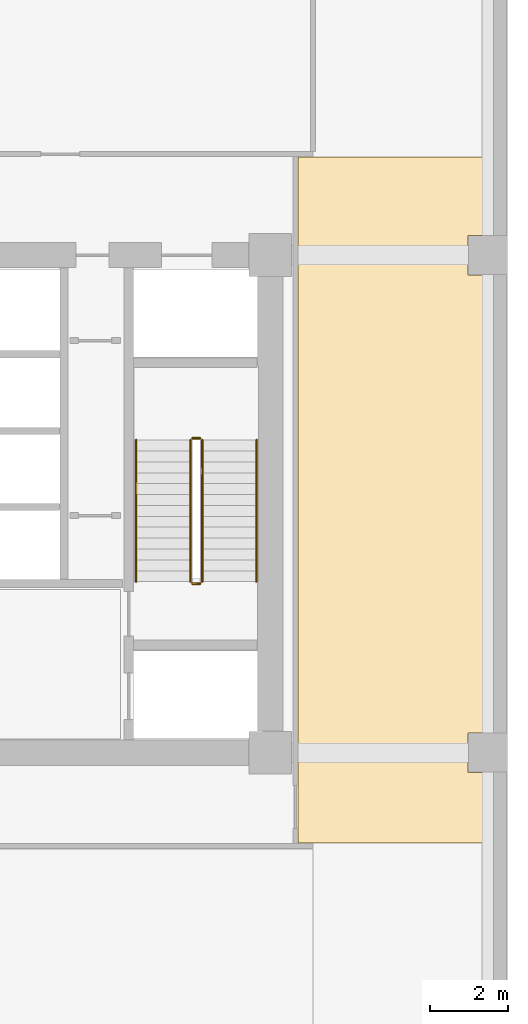
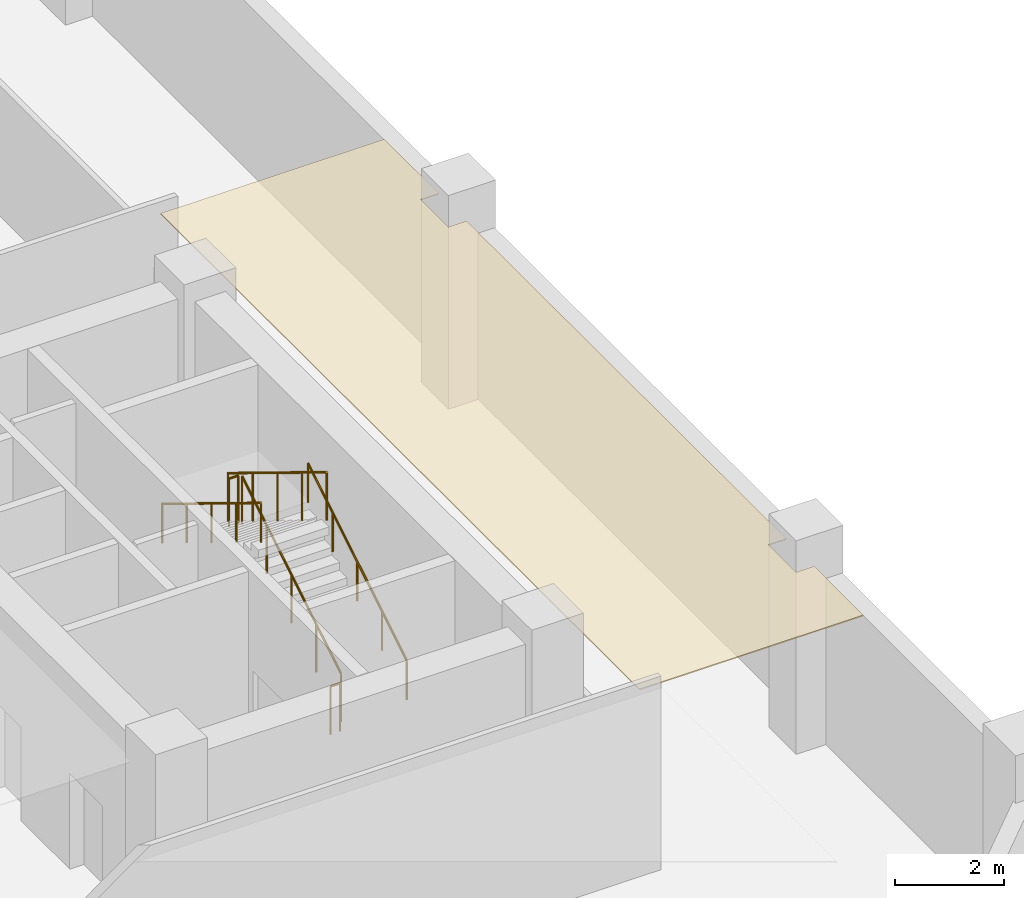
# One storey, part 14 of 16: 6 railings, 1 covering.
"""IFC4 building model written with IfcOpenShell, lengths in metres."""

from ifc_helpers import new_model, si_unit, direction, frame, origin, origin_2d, place, context, subcontext, project, spatial, polyline, circle, outline, extrude, material, layer, layer_set, type_object, element, save


model = new_model("IFC4")

# Units and contexts
model_context = context("Model", 3, precision=1e-05, world=origin(), true_north=direction((0.0, 1.0)))
body_context = subcontext(model_context, "Body", "Model", "MODEL_VIEW")
ifc_project = project(units=[si_unit("LENGTHUNIT", "METRE"), si_unit("AREAUNIT", "SQUARE_METRE"), si_unit("VOLUMEUNIT", "CUBIC_METRE"), si_unit("PLANEANGLEUNIT", "RADIAN"), si_unit("MASSUNIT", "GRAM", prefix="KILO")], contexts=[model_context])

# Site, building, storey
site_placement = place(None, origin())
site = spatial("IfcSite", under=ifc_project, at=site_placement, CompositionType="ELEMENT")
building_placement = place(site_placement, origin())
building = spatial("IfcBuilding", under=site, at=building_placement, Name="Kranthara Brick Stack", CompositionType="ELEMENT")
storey_placement = place(building_placement, frame((0.0, 0.0, 115.5)))
storey = spatial("IfcBuildingStorey", under=building, at=storey_placement, Name="L28", CompositionType="ELEMENT", Elevation=115.5)

# Covering
ifc_material_1 = material(Name="Perforated mineral-fibre acoustic ceiling tile", Category="other")
ifc_layer = layer(ifc_material_1, 0.02490234375)
ifc_layer_set = layer_set([ifc_layer], Name="Perforated mineral-fibre acoustic ceiling tile")
covering_type = type_object("IfcCoveringType", Name="COV-CEIL-ACOUSTIC", PredefinedType="CEILING", material=ifc_layer_set)
covering_placement = place(storey_placement, frame((0.0, 0.0, 4.080078125)))
element("IfcCovering", 1, at=covering_placement, inside=storey, type_object=covering_type, Name="L28 L28 East VIP Club Room Acoustic Ceiling", PredefinedType="CEILING", context=body_context, shape_type="SweptSolid", body=[
    extrude(outline(polyline([(43.919921875, 18.47998046875), (43.919921875, 36.1201171875), (48.679931640625, 36.1201171875), (48.679931640625, 34.110107421875), (48.2900390625, 34.110107421875), (48.2900390625, 33.090087890625), (48.679931640625, 33.090087890625), (48.679931640625, 21.31005859375), (48.2900390625, 21.31005859375), (48.2900390625, 20.2900390625), (48.679931640625, 20.2900390625), (48.679931640625, 18.47998046875), (43.919921875, 18.47998046875)])), origin(), (0.0, 0.0, 1.0), 0.02490234375),
])

# Railings
ifc_material_2 = material(Name="Painted galvanized steel stair guardrail", Category="steel")
railing_type_1 = type_object("IfcRailingType", Name="RL-STAIR-GUARD-1100", PredefinedType="GUARDRAIL", material=ifc_material_2)
railing_1_placement = place(storey_placement, frame((41.449951171875, 25.199951171875, 0.17138671875)))
element("IfcRailing", 2, at=railing_1_placement, inside=storey, type_object=railing_type_1, Name="L28 ST02 stair guard 1", PredefinedType="GUARDRAIL", context=body_context, shape_type="SweptSolid", body=[
    extrude(circle(Radius=0.02392578125, at=origin_2d()), frame((0.0, 0.0, 1.076171875), z_axis=(0.0, 0.852865859571, 0.52213008492), x_axis=(-1.0, 0.0, 0.0)), (0.0, 0.0, 1.0), 4.26806640625),
    extrude(circle(Radius=0.02099609375, at=origin_2d()), origin(), (0.0, 0.0, 1.0), 1.052001953125),
    extrude(circle(Radius=0.02099609375, at=origin_2d()), frame((0.0, 0.91015625, 0.55712890625)), (0.0, 0.0, 1.0), 1.052001953125),
    extrude(circle(Radius=0.02099609375, at=origin_2d()), frame((0.0, 1.820068359375, 1.1142578125)), (0.0, 0.0, 1.0), 1.052001953125),
    extrude(circle(Radius=0.02099609375, at=origin_2d()), frame((0.0, 2.72998046875, 1.67138671875)), (0.0, 0.0, 1.0), 1.052001953125),
    extrude(circle(Radius=0.02099609375, at=origin_2d()), frame((0.0, 3.64013671875, 2.228515625)), (0.0, 0.0, 1.0), 1.052001953125),
])
railing_2_placement = place(storey_placement, frame((41.39990234375, 28.889892578125, 2.39990234375)))
element("IfcRailing", 3, at=railing_2_placement, inside=storey, type_object=railing_type_1, Name="L28 ST02 stair guard 2", PredefinedType="GUARDRAIL", context=body_context, shape_type="SweptSolid", body=[
    extrude(circle(Radius=0.02392578125, at=origin_2d()), frame((0.0, 0.0, 1.076171875), z_axis=(-1.0, 0.0, 0.0), x_axis=(0.0, -1.0, 0.0)), (0.0, 0.0, 1.0), 0.199951171875),
    extrude(circle(Radius=0.02099609375, at=origin_2d()), origin(), (0.0, 0.0, 1.0), 1.052001953125),
    extrude(circle(Radius=0.02099609375, at=origin_2d()), frame((-0.199951171875, 0.0, 0.0)), (0.0, 0.0, 1.0), 1.052001953125),
])
railing_3_placement = place(storey_placement, frame((41.14990234375, 28.840087890625, 2.571533203125)))
element("IfcRailing", 4, at=railing_3_placement, inside=storey, type_object=railing_type_1, Name="L28 ST02 stair guard 3", PredefinedType="GUARDRAIL", context=body_context, shape_type="SweptSolid", body=[
    extrude(circle(Radius=0.02392578125, at=origin_2d()), frame((0.0, 0.0, 1.076171875), z_axis=(0.0, -0.852865859571, 0.52213008492), x_axis=(1.0, 0.0, 0.0)), (0.0, 0.0, 1.0), 4.26806640625),
    extrude(circle(Radius=0.02099609375, at=origin_2d()), origin(), (0.0, 0.0, 1.0), 1.052001953125),
    extrude(circle(Radius=0.02099609375, at=origin_2d()), frame((0.0, -0.91015625, 0.55712890625)), (0.0, 0.0, 1.0), 1.052001953125),
    extrude(circle(Radius=0.02099609375, at=origin_2d()), frame((0.0, -1.820068359375, 1.1142578125)), (0.0, 0.0, 1.0), 1.052001953125),
    extrude(circle(Radius=0.02099609375, at=origin_2d()), frame((0.0, -2.72998046875, 1.67138671875)), (0.0, 0.0, 1.0), 1.052001953125),
    extrude(circle(Radius=0.02099609375, at=origin_2d()), frame((0.0, -3.64013671875, 2.228515625)), (0.0, 0.0, 1.0), 1.052001953125),
])
railing_4_placement = place(storey_placement, frame((41.39990234375, 25.14990234375, 0.0)))
element("IfcRailing", 5, at=railing_4_placement, inside=storey, type_object=railing_type_1, Name="L28 ST02 stair guard 4", PredefinedType="GUARDRAIL", context=body_context, shape_type="SweptSolid", body=[
    extrude(circle(Radius=0.02392578125, at=origin_2d()), frame((0.0, 0.0, 1.076171875), z_axis=(-1.0, 0.0, 0.0), x_axis=(0.0, -1.0, 0.0)), (0.0, 0.0, 1.0), 0.199951171875),
    extrude(circle(Radius=0.02099609375, at=origin_2d()), origin(), (0.0, 0.0, 1.0), 1.052001953125),
    extrude(circle(Radius=0.02099609375, at=origin_2d()), frame((-0.199951171875, 0.0, 0.0)), (0.0, 0.0, 1.0), 1.052001953125),
])
ifc_material_3 = material(Name="Brushed stainless steel tubular handrail", Category="steel")
railing_type_2 = type_object("IfcRailingType", Name="RL-STAIR-HAND-900", PredefinedType="HANDRAIL", material=ifc_material_3)
railing_5_placement = place(storey_placement, frame((42.85009765625, 25.199951171875, 0.17138671875)))
element("IfcRailing", 6, at=railing_5_placement, inside=storey, type_object=railing_type_2, Name="L28 ST02 stair handrail 1", PredefinedType="HANDRAIL", context=body_context, shape_type="SweptSolid", body=[
    extrude(circle(Radius=0.02392578125, at=origin_2d()), frame((0.0, 0.0, 0.8759765625), z_axis=(0.0, 0.852865859571, 0.52213008492), x_axis=(-1.0, 0.0, 0.0)), (0.0, 0.0, 1.0), 4.26806640625),
    extrude(circle(Radius=0.02099609375, at=origin_2d()), origin(), (0.0, 0.0, 1.0), 0.851806640625),
    extrude(circle(Radius=0.02099609375, at=origin_2d()), frame((0.0, 0.91015625, 0.55712890625)), (0.0, 0.0, 1.0), 0.851806640625),
    extrude(circle(Radius=0.02099609375, at=origin_2d()), frame((0.0, 1.820068359375, 1.1142578125)), (0.0, 0.0, 1.0), 0.851806640625),
    extrude(circle(Radius=0.02099609375, at=origin_2d()), frame((0.0, 2.72998046875, 1.67138671875)), (0.0, 0.0, 1.0), 0.851806640625),
    extrude(circle(Radius=0.02099609375, at=origin_2d()), frame((0.0, 3.64013671875, 2.228515625)), (0.0, 0.0, 1.0), 0.851806640625),
])
railing_6_placement = place(storey_placement, frame((39.75, 28.840087890625, 2.571533203125)))
element("IfcRailing", 7, at=railing_6_placement, inside=storey, type_object=railing_type_2, Name="L28 ST02 stair handrail 2", PredefinedType="HANDRAIL", context=body_context, shape_type="SweptSolid", body=[
    extrude(circle(Radius=0.02392578125, at=origin_2d()), frame((0.0, 0.0, 0.8759765625), z_axis=(0.0, -0.852865859571, 0.52213008492), x_axis=(1.0, 0.0, 0.0)), (0.0, 0.0, 1.0), 4.26806640625),
    extrude(circle(Radius=0.02099609375, at=origin_2d()), origin(), (0.0, 0.0, 1.0), 0.851806640625),
    extrude(circle(Radius=0.02099609375, at=origin_2d()), frame((0.0, -0.91015625, 0.55712890625)), (0.0, 0.0, 1.0), 0.851806640625),
    extrude(circle(Radius=0.02099609375, at=origin_2d()), frame((0.0, -1.820068359375, 1.1142578125)), (0.0, 0.0, 1.0), 0.851806640625),
    extrude(circle(Radius=0.02099609375, at=origin_2d()), frame((0.0, -2.72998046875, 1.67138671875)), (0.0, 0.0, 1.0), 0.851806640625),
    extrude(circle(Radius=0.02099609375, at=origin_2d()), frame((0.0, -3.64013671875, 2.228515625)), (0.0, 0.0, 1.0), 0.851806640625),
])

save(model, "model.ifc")
